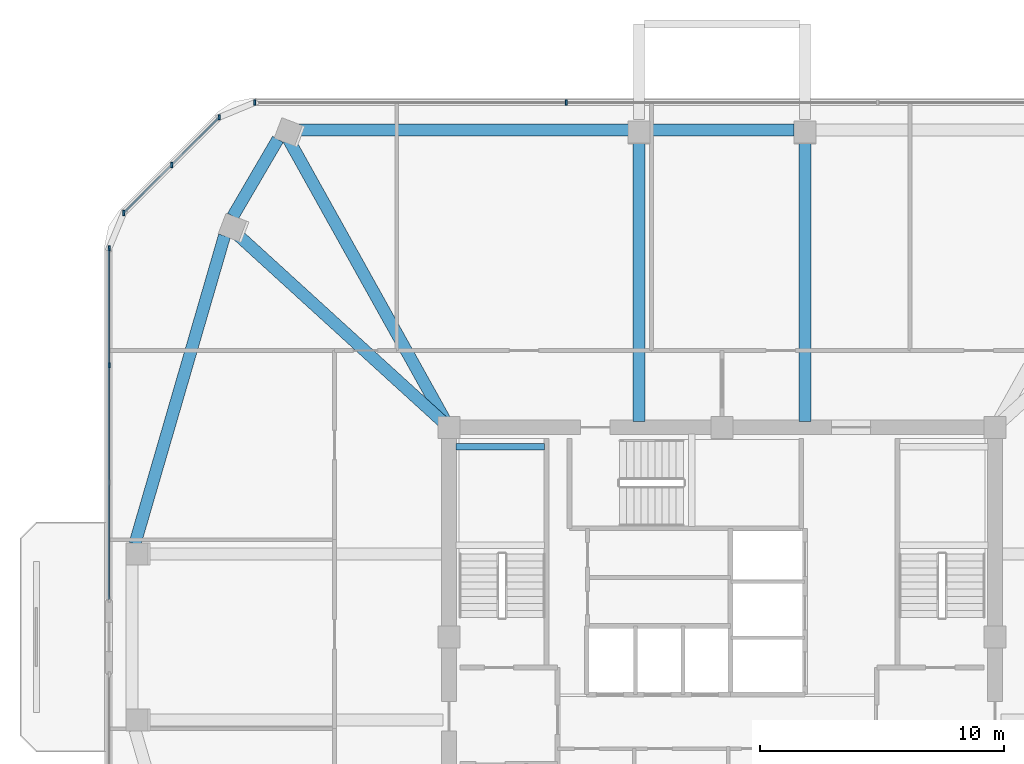
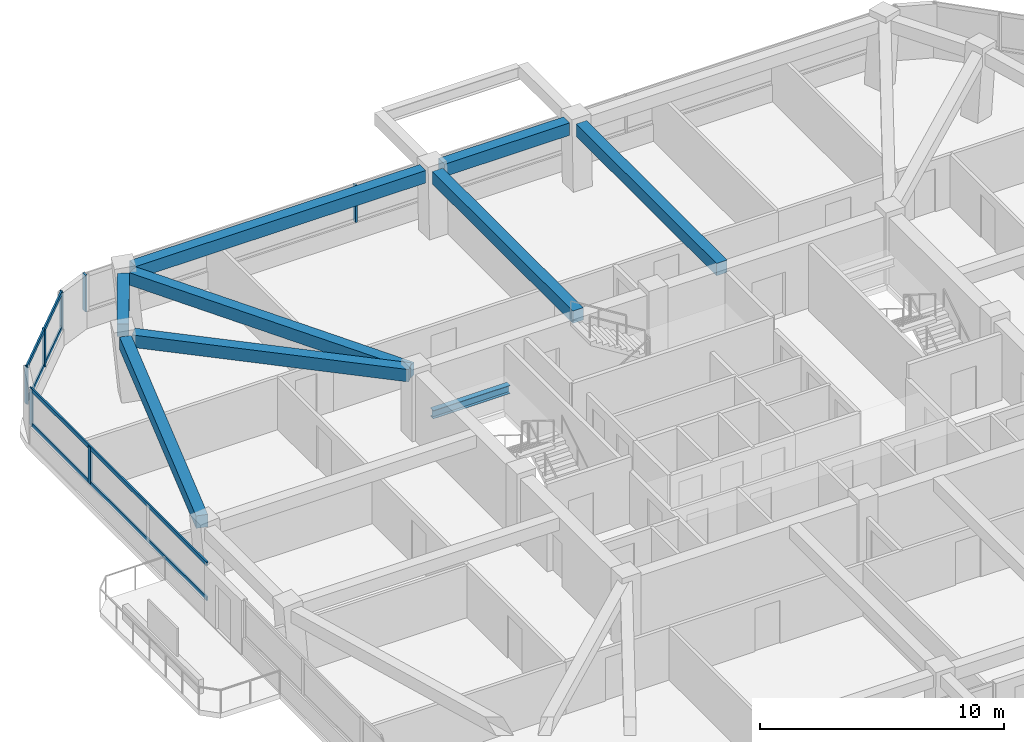
# One storey, part 4 of 13: 11 members, 9 beams, 3 elements without a shape of their own.
"""IFC4 building model written with IfcOpenShell, lengths in metres."""

from ifc_helpers import new_model, si_unit, derived_unit, direction, frame, origin, origin_2d, place, context, subcontext, project, spatial, rectangle, i_section, extrude, material, material_profile, profile_set, type_object, element, aggregate, save


model = new_model("IFC4")

# Units and contexts
model_context = context("Model", 3, precision=1e-05, world=origin(), true_north=direction((0.0, 1.0)))
body_context = subcontext(model_context, "Body", "Model", "MODEL_VIEW")
ifc_project = project(units=[si_unit("LENGTHUNIT", "METRE"), si_unit("AREAUNIT", "SQUARE_METRE"), si_unit("VOLUMEUNIT", "CUBIC_METRE"), si_unit("PLANEANGLEUNIT", "RADIAN"), si_unit("MASSUNIT", "GRAM", prefix="KILO"), derived_unit("THERMALTRANSMITTANCEUNIT", [(si_unit("POWERUNIT", "WATT"), 1), (si_unit("LENGTHUNIT", "METRE"), -2), (si_unit("THERMODYNAMICTEMPERATUREUNIT", "KELVIN"), -1)])], contexts=[model_context])

# Site, building, storey
site_placement = place(None, origin())
site = spatial("IfcSite", under=ifc_project, at=site_placement, CompositionType="ELEMENT")
building_placement = place(site_placement, origin())
building = spatial("IfcBuilding", under=site, at=building_placement, Name="Koralith Skygarden Medical Center", CompositionType="ELEMENT")
storey_placement = place(building_placement, frame((0.0, 0.0, 199.97998046875)))
storey = spatial("IfcBuildingStorey", under=building, at=storey_placement, Name="L51", CompositionType="ELEMENT", Elevation=199.97998046875)

# Curtain wall, members
ifc_material_1 = material(Name="Clear Laminated Glass", Category="glass")
curtain_wall_type = type_object("IfcCurtainWallType", Name="CW-5 Zone 4 Flare Biophilic Curtain Wall", PredefinedType="NOTDEFINED", material=ifc_material_1)
curtain_wall_1_placement = place(storey_placement, origin())
curtain_wall_1 = element("IfcCurtainWall", 1, at=curtain_wall_1_placement, inside=storey, type_object=curtain_wall_type, Name="Curtain Wall CW-L51-N", PredefinedType="NOTDEFINED")
ifc_material_2 = material(Name="Aluminium 6063-T6", Category="aluminium")
ifc_material_profile_1 = material_profile(ifc_material_2, rectangle(XDim=0.080078125, YDim=0.219970703125, at=origin_2d()), Name="MUL80X220")
ifc_profile_set_1 = profile_set([ifc_material_profile_1], Name="Aluminium 6063-T6")
member_type_1 = type_object("IfcMemberType", Name="CW-5 Extruded Mullion 80x220", PredefinedType="MULLION", material=ifc_profile_set_1)
member_1_placement = place(storey_placement, frame((30.60888671875, 47.825927734375, 0.85009765625), z_axis=(0.0, 0.0, 1.0), x_axis=(1.0, 0.0, 0.0)))
member_1 = element("IfcMember", 2, at=member_1_placement, type_object=member_type_1, Name="CW-L51-N Mullion 3", PredefinedType="MULLION", context=body_context, shape_type="SweptSolid", body=[
    extrude(rectangle(XDim=0.080078125, YDim=0.219970703125, at=origin_2d()), origin(), (0.0, 0.0, 1.0), 1.83984375),
])
member_2_placement = place(storey_placement, frame((17.826904296875, 47.825927734375, 0.85009765625), z_axis=(0.0, 0.0, 1.0), x_axis=(1.0, 0.0, 0.0)))
member_2 = element("IfcMember", 3, at=member_2_placement, type_object=member_type_1, Name="CW-L51-N Mullion 4", PredefinedType="MULLION", context=body_context, shape_type="SweptSolid", body=[
    extrude(rectangle(XDim=0.080078125, YDim=0.219970703125, at=origin_2d()), origin(), (0.0, 0.0, 1.0), 1.83984375),
])
aggregate(curtain_wall_1, [member_1, member_2])

curtain_wall_2_placement = place(storey_placement, origin())
curtain_wall_2 = element("IfcCurtainWall", 4, at=curtain_wall_2_placement, inside=storey, type_object=curtain_wall_type, Name="Curtain Wall CW-L51-NW", PredefinedType="NOTDEFINED")
member_3_placement = place(storey_placement, frame((16.3759765625, 47.22509765625, 0.85009765625), z_axis=(0.0, 0.0, 1.0), x_axis=(1.0, 0.0, 0.0)))
member_3 = element("IfcMember", 5, at=member_3_placement, type_object=member_type_1, Name="CW-L51-NW Mullion 1", PredefinedType="MULLION", context=body_context, shape_type="SweptSolid", body=[
    extrude(rectangle(XDim=0.080078125, YDim=0.219970703125, at=origin_2d()), origin(), (0.0, 0.0, 1.0), 1.83984375),
])
member_4_placement = place(storey_placement, frame((14.4150390625, 45.263916015625, 0.85009765625), z_axis=(0.0, 0.0, 1.0), x_axis=(1.0, 0.0, 0.0)))
member_4 = element("IfcMember", 6, at=member_4_placement, type_object=member_type_1, Name="CW-L51-NW Mullion 2", PredefinedType="MULLION", context=body_context, shape_type="SweptSolid", body=[
    extrude(rectangle(XDim=0.080078125, YDim=0.219970703125, at=origin_2d()), origin(), (0.0, 0.0, 1.0), 1.83984375),
])
member_5_placement = place(storey_placement, frame((12.452880859375, 43.302001953125, 0.85009765625), z_axis=(0.0, 0.0, 1.0), x_axis=(1.0, 0.0, 0.0)))
member_5 = element("IfcMember", 7, at=member_5_placement, type_object=member_type_1, Name="CW-L51-NW Mullion 3", PredefinedType="MULLION", context=body_context, shape_type="SweptSolid", body=[
    extrude(rectangle(XDim=0.080078125, YDim=0.219970703125, at=origin_2d()), origin(), (0.0, 0.0, 1.0), 1.83984375),
])

curtain_wall_3_placement = place(storey_placement, origin())
curtain_wall_3 = element("IfcCurtainWall", 8, at=curtain_wall_3_placement, inside=storey, type_object=curtain_wall_type, Name="Curtain Wall CW-L51-W-L", PredefinedType="NOTDEFINED")
member_6_placement = place(storey_placement, frame((11.85205078125, 41.85107421875, 0.85009765625), z_axis=(0.0, 0.0, 1.0), x_axis=(1.0, 0.0, 0.0)))
member_6 = element("IfcMember", 9, at=member_6_placement, type_object=member_type_1, Name="CW-L51-W-L Mullion 1", PredefinedType="MULLION", context=body_context, shape_type="SweptSolid", body=[
    extrude(rectangle(XDim=0.080078125, YDim=0.219970703125, at=origin_2d()), origin(), (0.0, 0.0, 1.0), 1.83984375),
])
member_7_placement = place(storey_placement, frame((11.85205078125, 37.048095703125, 0.85009765625), z_axis=(0.0, 0.0, 1.0), x_axis=(1.0, 0.0, 0.0)))
member_7 = element("IfcMember", 10, at=member_7_placement, type_object=member_type_1, Name="CW-L51-W-L Mullion 2", PredefinedType="MULLION", context=body_context, shape_type="SweptSolid", body=[
    extrude(rectangle(XDim=0.080078125, YDim=0.219970703125, at=origin_2d()), origin(), (0.0, 0.0, 1.0), 1.83984375),
])

# Member
ifc_material_profile_2 = material_profile(ifc_material_2, rectangle(XDim=0.074951171875, YDim=0.197998046875, at=origin_2d()), Name="TRN75X198")
ifc_profile_set_2 = profile_set([ifc_material_profile_2], Name="Aluminium 6063-T6")
member_type_2 = type_object("IfcMemberType", Name="CW-5 Thermal Transom 75x198", PredefinedType="USERDEFINED", material=ifc_profile_set_2)
member_8_placement = place(storey_placement, frame((16.3759765625, 47.22509765625, 0.89990234375), z_axis=(-0.707106781187, -0.707106781187, 0.0), x_axis=(0.707106781187, -0.707106781187, 0.0)))
member_8 = element("IfcMember", 11, at=member_8_placement, type_object=member_type_2, Name="CW-L51-NW Transom 1", ObjectType="TRANSOM", PredefinedType="USERDEFINED", context=body_context, shape_type="SweptSolid", body=[
    extrude(rectangle(XDim=0.074951171875, YDim=0.197998046875, at=origin_2d()), origin(), (0.0, 0.0, 1.0), 5.548095703125),
])

member_9_placement = place(storey_placement, frame((16.3759765625, 47.22509765625, 2.64013671875), z_axis=(-0.707106781187, -0.707106781187, 0.0), x_axis=(0.707106781187, -0.707106781187, 0.0)))
member_9 = element("IfcMember", 12, at=member_9_placement, type_object=member_type_2, Name="CW-L51-NW Transom 2", ObjectType="TRANSOM", PredefinedType="USERDEFINED", context=body_context, shape_type="SweptSolid", body=[
    extrude(rectangle(XDim=0.074951171875, YDim=0.197998046875, at=origin_2d()), origin(), (0.0, 0.0, 1.0), 5.548095703125),
])

aggregate(curtain_wall_2, [member_3, member_4, member_5, member_8, member_9])

member_10_placement = place(storey_placement, frame((11.85205078125, 41.85107421875, 0.89990234375), z_axis=(0.0, -1.0, 0.0), x_axis=(1.0, 0.0, 0.0)))
member_10 = element("IfcMember", 13, at=member_10_placement, type_object=member_type_2, Name="CW-L51-W-L Transom 1", ObjectType="TRANSOM", PredefinedType="USERDEFINED", context=body_context, shape_type="SweptSolid", body=[
    extrude(rectangle(XDim=0.074951171875, YDim=0.197998046875, at=origin_2d()), origin(), (0.0, 0.0, 1.0), 14.41015625),
])

member_11_placement = place(storey_placement, frame((11.85205078125, 41.85107421875, 2.64013671875), z_axis=(0.0, -1.0, 0.0), x_axis=(1.0, 0.0, 0.0)))
member_11 = element("IfcMember", 14, at=member_11_placement, type_object=member_type_2, Name="CW-L51-W-L Transom 2", ObjectType="TRANSOM", PredefinedType="USERDEFINED", context=body_context, shape_type="SweptSolid", body=[
    extrude(rectangle(XDim=0.074951171875, YDim=0.197998046875, at=origin_2d()), origin(), (0.0, 0.0, 1.0), 14.41015625),
])

aggregate(curtain_wall_3, [member_6, member_7, member_10, member_11])

# Beams
ifc_material_3 = material(Name="Steel ASTM A992 Grade 50", Category="steel")
ifc_material_profile_3 = material_profile(ifc_material_3, i_section(OverallWidth=0.260009765625, OverallDepth=0.4150390625, WebThickness=0.010009765625, FlangeThickness=0.016845703125, at=origin_2d()), Name="W16X67")
ifc_profile_set_3 = profile_set([ifc_material_profile_3], Name="Steel ASTM A992 Grade 50")
beam_type_1 = type_object("IfcBeamType", Name="Clinical Floor Joist W16X67", PredefinedType="JOIST", material=ifc_profile_set_3)
beam_1_placement = place(storey_placement, frame((26.080078125, 33.699951171875, 1.39306640625), z_axis=(1.0, 0.0, 0.0), x_axis=(0.0, 1.0, 0.0)))
element("IfcBeam", 15, at=beam_1_placement, inside=storey, type_object=beam_type_1, Name="L51 Stair ST1 Half-Landing Support Beam 1B", PredefinedType="JOIST", context=body_context, shape_type="SweptSolid", body=[
    extrude(i_section(OverallWidth=0.260009765625, OverallDepth=0.4150390625, WebThickness=0.010009765625, FlangeThickness=0.016845703125, at=origin_2d()), origin(), (0.0, 0.0, 1.0), 3.639892578125),
])
ifc_material_4 = material(Name="Concrete C45/55", Category="concrete")
ifc_material_profile_4 = material_profile(ifc_material_4, rectangle(XDim=0.5, YDim=0.6201171875, at=origin_2d()), Name="RCB500X620")
ifc_profile_set_4 = profile_set([ifc_material_profile_4], Name="Concrete C45/55")
beam_type_2 = type_object("IfcBeamType", Name="Upper Radial Collector Beam RCB500X620", PredefinedType="BEAM", material=ifc_profile_set_4)
for number, where, z_axis, x_axis, name in (
    (16, (40.39990234375, 34.75, 3.010009765625), (0.0, 1.0, 0.0), (-1.0, 0.0, 0.0), "L51 Radial Collector Beam RB-12"),
    (17, (33.60009765625, 34.75, 3.010009765625), (0.0, 1.0, 0.0), (-1.0, 0.0, 0.0), "L51 Radial Collector Beam RB-13"),
):
    element("IfcBeam", number, at=place(storey_placement, frame(where, z_axis=z_axis, x_axis=x_axis)), inside=storey, type_object=beam_type_2, Name=name, PredefinedType="BEAM", context=body_context, shape_type="SweptSolid", body=[
        extrude(rectangle(XDim=0.5, YDim=0.6201171875, at=origin_2d()), origin(), (0.0, 0.0, 1.0), 11.510986328125),
    ])
beam_2_placement = place(storey_placement, frame((25.677978515625, 34.718017578125, 3.010009765625), z_axis=(-0.486740042775, 0.873546868095, 0.0), x_axis=(-0.873546868095, -0.486740042775, 0.0)))
element("IfcBeam", 18, at=beam_2_placement, inside=storey, type_object=beam_type_2, Name="L51 Radial Collector Beam RB-14", PredefinedType="BEAM", context=body_context, shape_type="SweptSolid", body=[
    extrude(rectangle(XDim=0.5, YDim=0.6201171875, at=origin_2d()), origin(), (0.0, 0.0, 1.0), 13.27783203125),
])
beam_3_placement = place(storey_placement, frame((25.614990234375, 34.66796875, 3.010009765625), z_axis=(-0.7392077394, 0.673477481443, 0.0), x_axis=(-0.673477481443, -0.7392077394, 0.0)))
element("IfcBeam", 19, at=beam_3_placement, inside=storey, type_object=beam_type_2, Name="L51 Radial Collector Beam RB-15", PredefinedType="BEAM", context=body_context, shape_type="SweptSolid", body=[
    extrude(rectangle(XDim=0.5, YDim=0.6201171875, at=origin_2d()), origin(), (0.0, 0.0, 1.0), 11.607177734375),
])
ifc_material_profile_5 = material_profile(ifc_material_4, rectangle(XDim=0.5, YDim=0.6201171875, at=origin_2d()), Name="RCB500X620")
ifc_profile_set_5 = profile_set([ifc_material_profile_5], Name="Concrete C45/55")
beam_type_3 = type_object("IfcBeamType", Name="Zone 4-5 Spandrel Beam RCB500X620", PredefinedType="SPANDREL", material=ifc_profile_set_5)
beam_4_placement = place(storey_placement, frame((39.9599609375, 46.700927734375, 3.010009765625), z_axis=(-1.0, 0.0, 0.0), x_axis=(0.0, -1.0, 0.0)))
element("IfcBeam", 20, at=beam_4_placement, inside=storey, type_object=beam_type_3, Name="L51 Perimeter Spandrel Beam SP-12", PredefinedType="SPANDREL", context=body_context, shape_type="SweptSolid", body=[
    extrude(rectangle(XDim=0.5, YDim=0.6201171875, at=origin_2d()), origin(), (0.0, 0.0, 1.0), 5.919921875),
])
beam_5_placement = place(storey_placement, frame((33.159912109375, 46.700927734375, 3.010009765625), z_axis=(-1.0, 0.0, 0.0), x_axis=(0.0, -1.0, 0.0)))
element("IfcBeam", 21, at=beam_5_placement, inside=storey, type_object=beam_type_3, Name="L51 Perimeter Spandrel Beam SP-13", PredefinedType="SPANDREL", context=body_context, shape_type="SweptSolid", body=[
    extrude(rectangle(XDim=0.5, YDim=0.6201171875, at=origin_2d()), origin(), (0.0, 0.0, 1.0), 13.718994140625),
])
beam_6_placement = place(storey_placement, frame((18.779052734375, 46.321044921875, 3.010009765625), z_axis=(-0.504633876864, -0.863333452567, 0.0), x_axis=(0.863333452567, -0.504633876864, 0.0)))
element("IfcBeam", 22, at=beam_6_placement, inside=storey, type_object=beam_type_3, Name="L51 Perimeter Spandrel Beam SP-14", PredefinedType="SPANDREL", context=body_context, shape_type="SweptSolid", body=[
    extrude(rectangle(XDim=0.5, YDim=0.6201171875, at=origin_2d()), origin(), (0.0, 0.0, 1.0), 3.660400390625),
])
beam_7_placement = place(storey_placement, frame((16.5869140625, 42.35888671875, 3.010009765625), z_axis=(-0.27923127108, -0.960223878713, 0.0), x_axis=(0.960223878713, -0.27923127108, 0.0)))
element("IfcBeam", 23, at=beam_7_placement, inside=storey, type_object=beam_type_3, Name="L51 Perimeter Spandrel Beam SP-15", PredefinedType="SPANDREL", context=body_context, shape_type="SweptSolid", body=[
    extrude(rectangle(XDim=0.5, YDim=0.6201171875, at=origin_2d()), origin(), (0.0, 0.0, 1.0), 13.160400390625),
])

save(model, "model.ifc")
